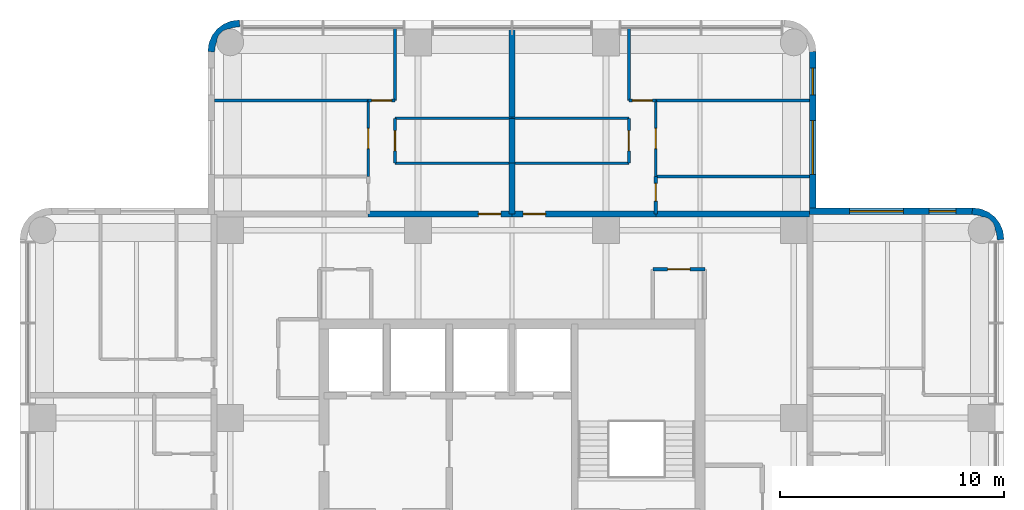
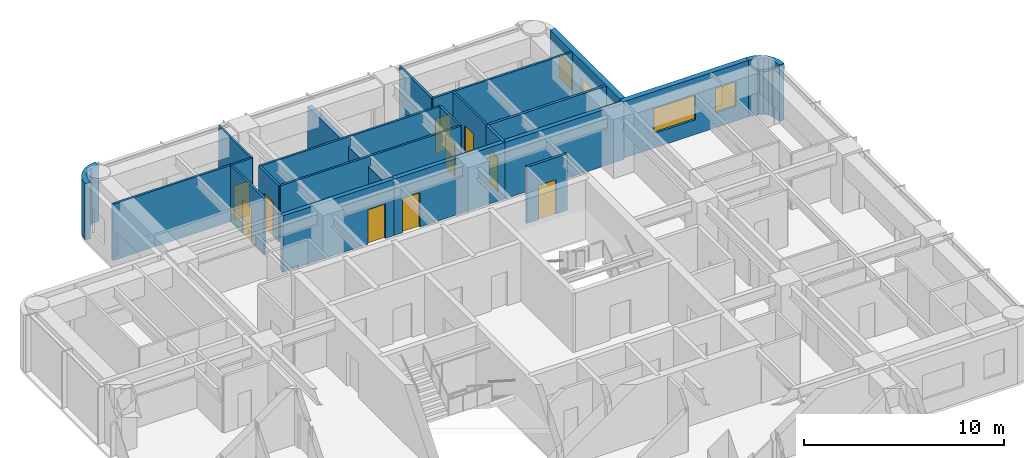
# One storey, part 8 of 10: 27 walls, 10 doors, 4 windows, 14 openings.
"""IFC4 building model written with IfcOpenShell, lengths in metres."""

import ifcopenshell
import ifcopenshell.guid

model = None  # the IFC model being written
_history = None  # IfcOwnerHistory: only IFC2X3 demands one
_inside = {}  # id of a spatial element -> (the spatial element, [elements in it])
_under = {}  # id of a project, library or spatial element -> (it, [spatial elements below it])
_declared = {}  # id of a project -> (the project, [libraries it declares])
_typed = {}  # id of a type object -> (the type object, [elements of that type])
_made_of = {}  # id of a material, layer set ... -> (it, [elements and type objects made of it])


def new_model(schema):
    """Start an empty IFC model of exactly this schema.

    Asked for "IFC4X3", IfcOpenShell would pick the latest addendum, in which some entities
    have other attributes; the version numbers below select the first issue.
    IFC2X3 requires an IfcOwnerHistory on every rooted entity: one is made here for all.
    """
    global model, _history
    if schema == "IFC4X3":
        model = ifcopenshell.file(schema_version=(4, 3, 0, 0))
    else:
        model = ifcopenshell.file(schema=schema)
    _inside.clear()
    _under.clear()
    _declared.clear()
    _typed.clear()
    _made_of.clear()
    _history = None
    if model.schema == "IFC2X3":
        org = make("IfcOrganization", Name="unknown")
        user = make(
            "IfcPersonAndOrganization",
            ThePerson=make("IfcPerson", FamilyName="unknown"),
            TheOrganization=org,
        )
        app = make(
            "IfcApplication",
            ApplicationDeveloper=org,
            Version="unknown",
            ApplicationFullName="unknown",
            ApplicationIdentifier="unknown",
        )
        _history = make(
            "IfcOwnerHistory",
            OwningUser=user,
            OwningApplication=app,
            ChangeAction="ADDED",
            CreationDate=0,
        )
    return model


def make(cls, **values):
    """One entity of the class cls with the attributes given. An attribute that is None is left unset."""
    return model.create_entity(
        cls, **{name: value for name, value in values.items() if value is not None}
    )


def rooted(cls, **values):
    """An entity with a GlobalId (a new one), such as an element, a storey or a relation."""
    return make(cls, GlobalId=ifcopenshell.guid.new(), OwnerHistory=_history, **values)


def si_unit(unit_type, name, prefix=None):
    """IfcSIUnit, for example si_unit("LENGTHUNIT", "METRE", prefix="MILLI")."""
    return make("IfcSIUnit", UnitType=unit_type, Prefix=prefix, Name=name)


def assignment(units):
    """IfcUnitAssignment: the units of a project."""
    return None if units is None else make("IfcUnitAssignment", Units=units)


def point(xyz):
    """IfcCartesianPoint."""
    return None if xyz is None else make("IfcCartesianPoint", Coordinates=xyz)


def direction(xyz):
    """IfcDirection."""
    return None if xyz is None else make("IfcDirection", DirectionRatios=xyz)


def frame(location, z_axis=None, x_axis=None):
    """IfcAxis2Placement3D, a coordinate frame: its origin and axes. An axis left out is left unset."""
    return make(
        "IfcAxis2Placement3D",
        Location=point(location),
        Axis=direction(z_axis),
        RefDirection=direction(x_axis),
    )


def frame_2d(location, x_axis=None):
    """IfcAxis2Placement2D, a coordinate frame in the plane: its origin and x axis."""
    return make(
        "IfcAxis2Placement2D", Location=point(location), RefDirection=direction(x_axis)
    )


def origin():
    """The frame at (0, 0, 0) with its axes left unset."""
    return frame((0.0, 0.0, 0.0))


def place(relative_to, where):
    """IfcLocalPlacement: puts the frame where relative to a parent placement (None: the world)."""
    return make(
        "IfcLocalPlacement", PlacementRelTo=relative_to, RelativePlacement=where
    )


def context(
    kind, dimensions, precision=None, world=None, true_north=None, identifier=None
):
    """IfcGeometricRepresentationContext, for example the 3D "Model" context."""
    return make(
        "IfcGeometricRepresentationContext",
        ContextIdentifier=identifier,
        ContextType=kind,
        CoordinateSpaceDimension=dimensions,
        Precision=precision,
        WorldCoordinateSystem=world,
        TrueNorth=true_north,
    )


def subcontext(parent, identifier, kind, view, scale=None):
    """IfcGeometricRepresentationSubContext, for example "Body" below "Model"."""
    return make(
        "IfcGeometricRepresentationSubContext",
        ContextIdentifier=identifier,
        ContextType=kind,
        ParentContext=parent,
        TargetScale=scale,
        TargetView=view,
    )


def project(units=None, contexts=None):
    """IfcProject with its units and contexts."""
    return rooted(
        "IfcProject",
        Name="project",
        RepresentationContexts=contexts,
        UnitsInContext=assignment(units),
    )


def spatial(cls, under=None, at=None, **own):
    """A site, building, storey or space (cls), placed at a placement, below another one or the project."""
    s = rooted(cls, ObjectPlacement=at, **own)
    if under is not None:
        _under.setdefault(under.id(), (under, []))[1].append(s)
    return s


def polyline(points):
    """IfcPolyline through the points."""
    return make("IfcPolyline", Points=[point(p) for p in points])


def profile(cls, at=None, kind="AREA", **sizes):
    """A parametric profile (cls). Its sizes go by their IFC names, for example OverallWidth=200.0."""
    return make(cls, ProfileType=kind, Position=at, **sizes)


def rectangle(**sizes):
    """IfcRectangleProfileDef."""
    return profile("IfcRectangleProfileDef", **sizes)


def outline(outer, holes=None, kind="AREA"):
    """IfcArbitraryClosedProfileDef: a profile drawn as a closed curve; with holes, ...WithVoids."""
    if holes is None:
        return make("IfcArbitraryClosedProfileDef", ProfileType=kind, OuterCurve=outer)
    return make(
        "IfcArbitraryProfileDefWithVoids",
        ProfileType=kind,
        OuterCurve=outer,
        InnerCurves=holes,
    )


def extrude(swept, where, along, depth):
    """IfcExtrudedAreaSolid: the profile swept, set in the frame where, extruded along a direction by depth."""
    return make(
        "IfcExtrudedAreaSolid",
        SweptArea=swept,
        Position=where,
        ExtrudedDirection=direction(along),
        Depth=depth,
    )


def shape(context_of_items, identifier, shape_type, items):
    """IfcShapeRepresentation: the items that make up one representation, for example the "Body"."""
    return make(
        "IfcShapeRepresentation",
        ContextOfItems=context_of_items,
        RepresentationIdentifier=identifier,
        RepresentationType=shape_type,
        Items=items,
    )


def material(Name=None, Category=None):
    """IfcMaterial."""
    return make("IfcMaterial", Name=Name, Category=Category)


def layer(
    of_material, thickness, ventilated=None, Name=None, Category=None, Priority=None
):
    """IfcMaterialLayer: one layer of a wall or slab, of a material (None: an air gap)."""
    return make(
        "IfcMaterialLayer",
        Material=of_material,
        LayerThickness=thickness,
        IsVentilated=ventilated,
        Name=Name,
        Category=Category,
        Priority=Priority,
    )


def layer_set(layers, Name=None):
    """IfcMaterialLayerSet."""
    return make("IfcMaterialLayerSet", MaterialLayers=layers, LayerSetName=Name)


def made_of(thing, what):
    """Note that an element or type object is made of a material, layer set ...; save() writes the relation."""
    if what is not None:
        _made_of.setdefault(what.id(), (what, []))[1].append(thing)
    return thing


def type_object(cls, material=None, **own):
    """A type object (cls), such as IfcWallType, which elements share."""
    return made_of(rooted(cls, **own), material)


def element(
    cls,
    number,
    at=None,
    inside=None,
    cuts=None,
    type_object=None,
    material=None,
    context=None,
    identifier="Body",
    shape_type=None,
    held_by="IfcProductDefinitionShape",
    body=None,
    shapes=None,
    **own,
):
    """One element of the class cls, such as IfcWall. Its Tag is "e" and its number.

    at: its placement. inside: the storey or other place that contains it. cuts: it is an
    opening in that element (IfcRelVoidsElement). A single representation is given by context,
    identifier, shape_type and body (its items); several are given by shapes. held_by: the class
    of the entity that holds the representations. save() writes the other relations.
    """
    e = rooted(cls, Tag="e%d" % number, ObjectPlacement=at, **own)
    if body is not None:
        shapes = [shape(context, identifier, shape_type, body)]
    if shapes is not None:
        e.Representation = make(held_by, Representations=shapes)
    if inside is not None:
        _inside.setdefault(inside.id(), (inside, []))[1].append(e)
    if cuts is not None:
        rooted(
            "IfcRelVoidsElement", RelatingBuildingElement=cuts, RelatedOpeningElement=e
        )
    if type_object is not None:
        _typed.setdefault(type_object.id(), (type_object, []))[1].append(e)
    return made_of(e, material)


def fill(opening, filler):
    """IfcRelFillsElement: the door or window that sits in an opening."""
    return rooted(
        "IfcRelFillsElement",
        RelatingOpeningElement=opening,
        RelatedBuildingElement=filler,
    )


def aggregate(whole, parts):
    """IfcRelAggregates: a whole, such as a stair, and the parts it consists of."""
    return rooted("IfcRelAggregates", RelatingObject=whole, RelatedObjects=parts)


def save(model, path):
    """Write the relations noted so far, then the file.

    IfcRelAggregates (storeys below a building ...), IfcRelContainedInSpatialStructure (elements
    in a storey), IfcRelDefinesByType, IfcRelAssociatesMaterial and IfcRelDeclares: one each for
    every whole, place, type object, material and project.
    """
    for whole, parts in _under.values():
        aggregate(whole, parts)
    for where, things in _inside.values():
        rooted(
            "IfcRelContainedInSpatialStructure",
            RelatedElements=things,
            RelatingStructure=where,
        )
    for kind, things in _typed.values():
        rooted("IfcRelDefinesByType", RelatedObjects=things, RelatingType=kind)
    for what, things in _made_of.values():
        rooted("IfcRelAssociatesMaterial", RelatedObjects=things, RelatingMaterial=what)
    for by, libraries in _declared.values():
        rooted("IfcRelDeclares", RelatingContext=by, RelatedDefinitions=libraries)
    model.write(path)


model = new_model("IFC4")

# Units and contexts
model_context = context("Model", 3, precision=1e-05, world=origin(), true_north=direction((0.0, 1.0)))
body_context = subcontext(model_context, "Body", "Model", "MODEL_VIEW")
ifc_project = project(units=[si_unit("LENGTHUNIT", "METRE"), si_unit("AREAUNIT", "SQUARE_METRE"), si_unit("VOLUMEUNIT", "CUBIC_METRE"), si_unit("PLANEANGLEUNIT", "RADIAN"), si_unit("MASSUNIT", "GRAM", prefix="KILO")], contexts=[model_context])

# Site, building, storey
site_placement = place(None, origin())
site = spatial("IfcSite", under=ifc_project, at=site_placement, CompositionType="ELEMENT")
building_placement = place(site_placement, origin())
building = spatial("IfcBuilding", under=site, at=building_placement, Name="Torre Alcanfor", CompositionType="ELEMENT")
storey_placement = place(building_placement, frame((0.0, 0.0, 282.89990234375)))
storey = spatial("IfcBuildingStorey", under=building, at=storey_placement, Name="L74", CompositionType="ELEMENT", Elevation=282.89990234375)

# Wall, opening, door
ifc_material_1 = material(Name="Concrete block masonry, hollow blocks NMX-C-404 9 MPa", Category="masonry")
ifc_layer_1 = layer(ifc_material_1, 0.25)
ifc_layer_set_1 = layer_set([ifc_layer_1], Name="Apartment entrance wall 250 EI 60")
wall_type_1 = type_object("IfcWallType", Name="Apartment entrance wall 250 EI 60", PredefinedType="PARTITIONING", material=ifc_layer_set_1)
wall_1_placement = place(storey_placement, frame((22.970947265625, 42.72509765625, 0.0), z_axis=(0.0, 0.0, 1.0), x_axis=(1.0, 0.0, 0.0)))
wall_1 = element("IfcWall", 1, at=wall_1_placement, inside=storey, type_object=wall_type_1, Name="Partition L74-CORR / L74-N1-LIVING", PredefinedType="PARTITIONING", context=body_context, shape_type="SweptSolid", body=[
    extrude(rectangle(XDim=6.428955078125, YDim=0.25, at=frame_2d((3.21435546875, 0.0))), origin(), (0.0, 0.0, 1.0), 3.4501953125),
])
opening_1_placement = place(wall_1_placement, frame((4.928955078125, 0.0, 0.0)))
opening_1 = element("IfcOpeningElement", 2, at=opening_1_placement, cuts=wall_1, Name="Opening D-A1", PredefinedType="OPENING", context=body_context, shape_type="SweptSolid", body=[
    extrude(rectangle(XDim=1.0, YDim=2.10009765625, at=frame_2d((0.5, 1.050048828125))), frame((0.0, 0.135009765625, 0.0), z_axis=(0.0, -1.0, 0.0), x_axis=(1.0, 0.0, 0.0)), (0.0, 0.0, 1.0), 0.27001953125),
])
ifc_material_2 = material(Name="Galvanised steel sheet ASTM A653", Category="steel")
door_type_1 = type_object("IfcDoorType", Name="Apartment entrance door FD60 1000x2100", OperationType="SINGLE_SWING_LEFT", PredefinedType="DOOR", material=ifc_material_2)
door_1_placement = place(opening_1_placement, origin())
door_1 = element("IfcDoor", 3, at=door_1_placement, inside=storey, type_object=door_type_1, Name="Apartment entrance L74-N1", OperationType="SINGLE_SWING_RIGHT", OverallHeight=2.10009765625, OverallWidth=1.0, PredefinedType="DOOR", context=body_context, shape_type="SweptSolid", body=[
    extrude(rectangle(XDim=1.0, YDim=2.10009765625, at=frame_2d((0.5, 1.050048828125))), frame((0.0, 0.02490234375, 0.0), z_axis=(0.0, -1.0, 0.0), x_axis=(1.0, 0.0, 0.0)), (0.0, 0.0, 1.0), 0.050048828125),
])
fill(opening_1, door_1)

wall_2_placement = place(storey_placement, frame((29.39990234375, 42.72509765625, 0.0), z_axis=(0.0, 0.0, 1.0), x_axis=(1.0, 0.0, 0.0)))
wall_2 = element("IfcWall", 4, at=wall_2_placement, inside=storey, type_object=wall_type_1, Name="Partition L74-CORR / L74-N2-LIVING", PredefinedType="PARTITIONING", context=body_context, shape_type="SweptSolid", body=[
    extrude(rectangle(XDim=6.42919921875, YDim=0.25, at=frame_2d((3.214599609375, 0.0))), origin(), (0.0, 0.0, 1.0), 3.4501953125),
])
opening_2_placement = place(wall_2_placement, frame((0.5, 0.0, 0.0)))
opening_2 = element("IfcOpeningElement", 5, at=opening_2_placement, cuts=wall_2, Name="Opening D-A1", PredefinedType="OPENING", context=body_context, shape_type="SweptSolid", body=[
    extrude(rectangle(XDim=1.0, YDim=2.10009765625, at=frame_2d((0.5, 1.050048828125))), frame((0.0, 0.135009765625, 0.0), z_axis=(0.0, -1.0, 0.0), x_axis=(1.0, 0.0, 0.0)), (0.0, 0.0, 1.0), 0.27001953125),
])
door_2_placement = place(opening_2_placement, origin())
door_2 = element("IfcDoor", 6, at=door_2_placement, inside=storey, type_object=door_type_1, Name="Apartment entrance L74-N2", OperationType="SINGLE_SWING_LEFT", OverallHeight=2.10009765625, OverallWidth=1.0, PredefinedType="DOOR", context=body_context, shape_type="SweptSolid", body=[
    extrude(rectangle(XDim=1.0, YDim=2.10009765625, at=frame_2d((0.5, 1.050048828125))), frame((0.0, 0.02490234375, 0.0), z_axis=(0.0, -1.0, 0.0), x_axis=(1.0, 0.0, 0.0)), (0.0, 0.0, 1.0), 0.050048828125),
])
fill(opening_2, door_2)

# Walls
wall_3_placement = place(storey_placement, frame((35.8291015625, 42.72509765625, 0.0), z_axis=(0.0, 0.0, 1.0), x_axis=(1.0, 0.0, 0.0)))
element("IfcWall", 7, at=wall_3_placement, inside=storey, type_object=wall_type_1, Name="Partition L74-CORR / L74-N2-BATH", PredefinedType="PARTITIONING", context=body_context, shape_type="SweptSolid", body=[
    extrude(rectangle(XDim=6.870849609375, YDim=0.25, at=frame_2d((3.435546875, 0.0))), origin(), (0.0, 0.0, 1.0), 3.4501953125),
])
ifc_material_3 = material(Name="Gypsum board on steel studs", Category="steel")
ifc_layer_2 = layer(ifc_material_3, 0.1201171875)
ifc_layer_set_2 = layer_set([ifc_layer_2], Name="Apartment partition 120")
wall_type_2 = type_object("IfcWallType", Name="Apartment partition 120", PredefinedType="PARTITIONING", material=ifc_layer_set_2)
wall_4_placement = place(storey_placement, frame((29.39990234375, 47.0, 0.0), z_axis=(0.0, 0.0, 1.0), x_axis=(-1.0, 0.0, 0.0)))
element("IfcWall", 8, at=wall_4_placement, inside=storey, type_object=wall_type_2, Name="Partition L74-N1-KITCHEN / L74-N1-LIVING", PredefinedType="PARTITIONING", context=body_context, shape_type="SweptSolid", body=[
    extrude(rectangle(XDim=5.22900390625, YDim=0.1201171875, at=frame_2d((2.614501953125, 0.0))), origin(), (0.0, 0.0, 1.0), 3.4501953125),
])

# Wall, opening, door
wall_5_placement = place(storey_placement, frame((24.1708984375, 47.0, 0.0), z_axis=(0.0, 0.0, 1.0), x_axis=(0.0, -1.0, 0.0)))
wall_5 = element("IfcWall", 9, at=wall_5_placement, inside=storey, type_object=wall_type_2, Name="Partition L74-N1-KITCHEN / L74-N1-LIVING", PredefinedType="PARTITIONING", context=body_context, shape_type="SweptSolid", body=[
    extrude(rectangle(XDim=2.0, YDim=0.1201171875, at=frame_2d((1.0, 0.0))), origin(), (0.0, 0.0, 1.0), 3.4501953125),
])
opening_3_placement = place(wall_5_placement, frame((0.550048828125, 0.0, 0.0)))
opening_3 = element("IfcOpeningElement", 10, at=opening_3_placement, cuts=wall_5, Name="Opening D-R1", PredefinedType="OPENING", context=body_context, shape_type="SweptSolid", body=[
    extrude(rectangle(XDim=0.89990234375, YDim=2.10009765625, at=frame_2d((0.449951171875, 1.050048828125))), frame((0.0, 0.070068359375, 0.0), z_axis=(0.0, -1.0, 0.0), x_axis=(1.0, 0.0, 0.0)), (0.0, 0.0, 1.0), 0.14013671875),
])
ifc_material_4 = material(Name="Timber", Category="wood")
door_type_2 = type_object("IfcDoorType", Name="Internal door 900x2100", OperationType="SINGLE_SWING_LEFT", PredefinedType="DOOR", material=ifc_material_4)
door_3_placement = place(opening_3_placement, origin())
door_3 = element("IfcDoor", 11, at=door_3_placement, inside=storey, type_object=door_type_2, Name="Door L74-N1 kitchen", OperationType="SINGLE_SWING_LEFT", OverallHeight=2.10009765625, OverallWidth=0.89990234375, PredefinedType="DOOR", context=body_context, shape_type="SweptSolid", body=[
    extrude(rectangle(XDim=0.89990234375, YDim=2.10009765625, at=frame_2d((0.449951171875, 1.050048828125))), frame((0.0, 0.02490234375, 0.0), z_axis=(0.0, -1.0, 0.0), x_axis=(1.0, 0.0, 0.0)), (0.0, 0.0, 1.0), 0.050048828125),
])
fill(opening_3, door_3)

# Wall
wall_6_placement = place(storey_placement, frame((24.1708984375, 45.0, 0.0), z_axis=(0.0, 0.0, 1.0), x_axis=(1.0, 0.0, 0.0)))
element("IfcWall", 12, at=wall_6_placement, inside=storey, type_object=wall_type_2, Name="Partition L74-N1-KITCHEN / L74-N1-LIVING", PredefinedType="PARTITIONING", context=body_context, shape_type="SweptSolid", body=[
    extrude(rectangle(XDim=5.22900390625, YDim=0.1201171875, at=frame_2d((2.614501953125, 0.0))), origin(), (0.0, 0.0, 1.0), 3.4501953125),
])

# Wall, opening, door
wall_7_placement = place(storey_placement, frame((22.970947265625, 44.39990234375, 0.0), z_axis=(0.0, 0.0, 1.0), x_axis=(0.0, 1.0, 0.0)))
wall_7 = element("IfcWall", 13, at=wall_7_placement, inside=storey, type_object=wall_type_2, Name="Partition L74-N1-LIVING / L74-N1-STUDY", PredefinedType="PARTITIONING", context=body_context, shape_type="SweptSolid", body=[
    extrude(rectangle(XDim=3.400146484375, YDim=0.1201171875, at=frame_2d((1.7001953125, 0.0))), origin(), (0.0, 0.0, 1.0), 3.4501953125),
])
opening_4_placement = place(wall_7_placement, frame((1.25, 0.0, 0.0)))
opening_4 = element("IfcOpeningElement", 14, at=opening_4_placement, cuts=wall_7, Name="Opening D-R1", PredefinedType="OPENING", context=body_context, shape_type="SweptSolid", body=[
    extrude(rectangle(XDim=0.89990234375, YDim=2.10009765625, at=frame_2d((0.449951171875, 1.050048828125))), frame((0.0, 0.070068359375, 0.0), z_axis=(0.0, -1.0, 0.0), x_axis=(1.0, 0.0, 0.0)), (0.0, 0.0, 1.0), 0.14013671875),
])
door_4_placement = place(opening_4_placement, origin())
door_4 = element("IfcDoor", 15, at=door_4_placement, inside=storey, type_object=door_type_2, Name="Door L74-N1 study", OperationType="SINGLE_SWING_LEFT", OverallHeight=2.10009765625, OverallWidth=0.89990234375, PredefinedType="DOOR", context=body_context, shape_type="SweptSolid", body=[
    extrude(rectangle(XDim=0.89990234375, YDim=2.10009765625, at=frame_2d((0.449951171875, 1.050048828125))), frame((0.0, 0.02490234375, 0.0), z_axis=(0.0, -1.0, 0.0), x_axis=(1.0, 0.0, 0.0)), (0.0, 0.0, 1.0), 0.050048828125),
])
fill(opening_4, door_4)

wall_8_placement = place(storey_placement, frame((22.970947265625, 47.800048828125, 0.0), z_axis=(0.0, 0.0, 1.0), x_axis=(1.0, 0.0, 0.0)))
wall_8 = element("IfcWall", 16, at=wall_8_placement, inside=storey, type_object=wall_type_2, Name="Partition L74-N1-LIVING / L74-N1-MASTER", PredefinedType="PARTITIONING", context=body_context, shape_type="SweptSolid", body=[
    extrude(rectangle(XDim=1.199951171875, YDim=0.1201171875, at=frame_2d((0.60009765625, 0.0))), origin(), (0.0, 0.0, 1.0), 3.4501953125),
])
opening_5_placement = place(wall_8_placement, frame((0.14892578125, 0.0, 0.0)))
opening_5 = element("IfcOpeningElement", 17, at=opening_5_placement, cuts=wall_8, Name="Opening D-R1", PredefinedType="OPENING", context=body_context, shape_type="SweptSolid", body=[
    extrude(rectangle(XDim=0.89990234375, YDim=2.10009765625, at=frame_2d((0.449951171875, 1.050048828125))), frame((0.0, 0.070068359375, 0.0), z_axis=(0.0, -1.0, 0.0), x_axis=(1.0, 0.0, 0.0)), (0.0, 0.0, 1.0), 0.14013671875),
])
door_5_placement = place(opening_5_placement, origin())
door_5 = element("IfcDoor", 18, at=door_5_placement, inside=storey, type_object=door_type_2, Name="Door L74-N1 master", OperationType="SINGLE_SWING_RIGHT", OverallHeight=2.10009765625, OverallWidth=0.89990234375, PredefinedType="DOOR", context=body_context, shape_type="SweptSolid", body=[
    extrude(rectangle(XDim=0.89990234375, YDim=2.10009765625, at=frame_2d((0.449951171875, 1.050048828125))), frame((0.0, 0.02490234375, 0.0), z_axis=(0.0, -1.0, 0.0), x_axis=(1.0, 0.0, 0.0)), (0.0, 0.0, 1.0), 0.050048828125),
])
fill(opening_5, door_5)

# Walls
wall_9_placement = place(storey_placement, frame((24.1708984375, 47.800048828125, 0.0), z_axis=(0.0, 0.0, 1.0), x_axis=(0.0, 1.0, 0.0)))
element("IfcWall", 19, at=wall_9_placement, inside=storey, type_object=wall_type_2, Name="Partition L74-N1-LIVING / L74-N1-MASTER", PredefinedType="PARTITIONING", context=body_context, shape_type="SweptSolid", body=[
    extrude(rectangle(XDim=3.25, YDim=0.1201171875, at=frame_2d((1.625, 0.0))), origin(), (0.0, 0.0, 1.0), 3.4501953125),
])
wall_10_placement = place(storey_placement, frame((22.970947265625, 47.800048828125, 0.0), z_axis=(0.0, 0.0, 1.0), x_axis=(-1.0, 0.0, 0.0)))
element("IfcWall", 20, at=wall_10_placement, inside=storey, type_object=wall_type_2, Name="Partition L74-N1-STUDY / L74-N1-MASTER", PredefinedType="PARTITIONING", context=body_context, shape_type="SweptSolid", body=[
    extrude(rectangle(XDim=6.870849609375, YDim=0.1201171875, at=frame_2d((3.435546875, 0.0))), origin(), (0.0, 0.0, 1.0), 3.4501953125),
])
wall_11_placement = place(storey_placement, frame((29.39990234375, 47.0, 0.0), z_axis=(0.0, 0.0, 1.0), x_axis=(1.0, 0.0, 0.0)))
element("IfcWall", 21, at=wall_11_placement, inside=storey, type_object=wall_type_2, Name="Partition L74-N2-KITCHEN / L74-N2-LIVING", PredefinedType="PARTITIONING", context=body_context, shape_type="SweptSolid", body=[
    extrude(rectangle(XDim=5.22900390625, YDim=0.1201171875, at=frame_2d((2.614501953125, 0.0))), origin(), (0.0, 0.0, 1.0), 3.4501953125),
])

# Wall, opening, door
wall_12_placement = place(storey_placement, frame((34.62890625, 47.0, 0.0), z_axis=(0.0, 0.0, 1.0), x_axis=(0.0, -1.0, 0.0)))
wall_12 = element("IfcWall", 22, at=wall_12_placement, inside=storey, type_object=wall_type_2, Name="Partition L74-N2-KITCHEN / L74-N2-LIVING", PredefinedType="PARTITIONING", context=body_context, shape_type="SweptSolid", body=[
    extrude(rectangle(XDim=2.0, YDim=0.1201171875, at=frame_2d((1.0, 0.0))), origin(), (0.0, 0.0, 1.0), 3.4501953125),
])
opening_6_placement = place(wall_12_placement, frame((0.550048828125, 0.0, 0.0)))
opening_6 = element("IfcOpeningElement", 23, at=opening_6_placement, cuts=wall_12, Name="Opening D-R1", PredefinedType="OPENING", context=body_context, shape_type="SweptSolid", body=[
    extrude(rectangle(XDim=0.89990234375, YDim=2.10009765625, at=frame_2d((0.449951171875, 1.050048828125))), frame((0.0, 0.070068359375, 0.0), z_axis=(0.0, -1.0, 0.0), x_axis=(1.0, 0.0, 0.0)), (0.0, 0.0, 1.0), 0.14013671875),
])
door_6_placement = place(opening_6_placement, frame((0.89990234375, 0.0, 0.0), z_axis=(0.0, 0.0, 1.0), x_axis=(-1.0, 0.0, 0.0)))
door_6 = element("IfcDoor", 24, at=door_6_placement, inside=storey, type_object=door_type_2, Name="Door L74-N2 kitchen", OperationType="SINGLE_SWING_RIGHT", OverallHeight=2.10009765625, OverallWidth=0.89990234375, PredefinedType="DOOR", context=body_context, shape_type="SweptSolid", body=[
    extrude(rectangle(XDim=0.89990234375, YDim=2.10009765625, at=frame_2d((0.449951171875, 1.050048828125))), frame((0.0, 0.025146484375, 0.0), z_axis=(0.0, -1.0, 0.0), x_axis=(1.0, 0.0, 0.0)), (0.0, 0.0, 1.0), 0.050048828125),
])
fill(opening_6, door_6)

# Wall
wall_13_placement = place(storey_placement, frame((34.62890625, 45.0, 0.0), z_axis=(0.0, 0.0, 1.0), x_axis=(-1.0, 0.0, 0.0)))
element("IfcWall", 25, at=wall_13_placement, inside=storey, type_object=wall_type_2, Name="Partition L74-N2-KITCHEN / L74-N2-LIVING", PredefinedType="PARTITIONING", context=body_context, shape_type="SweptSolid", body=[
    extrude(rectangle(XDim=5.22900390625, YDim=0.1201171875, at=frame_2d((2.614501953125, 0.0))), origin(), (0.0, 0.0, 1.0), 3.4501953125),
])

# Wall, opening, door
wall_14_placement = place(storey_placement, frame((35.8291015625, 47.800048828125, 0.0), z_axis=(0.0, 0.0, 1.0), x_axis=(0.0, -1.0, 0.0)))
wall_14 = element("IfcWall", 26, at=wall_14_placement, inside=storey, type_object=wall_type_2, Name="Partition L74-N2-LIVING / L74-N2-STUDY", PredefinedType="PARTITIONING", context=body_context, shape_type="SweptSolid", body=[
    extrude(rectangle(XDim=3.400146484375, YDim=0.1201171875, at=frame_2d((1.7001953125, 0.0))), origin(), (0.0, 0.0, 1.0), 3.4501953125),
])
opening_7_placement = place(wall_14_placement, frame((1.25, 0.0, 0.0)))
opening_7 = element("IfcOpeningElement", 27, at=opening_7_placement, cuts=wall_14, Name="Opening D-R1", PredefinedType="OPENING", context=body_context, shape_type="SweptSolid", body=[
    extrude(rectangle(XDim=0.89990234375, YDim=2.10009765625, at=frame_2d((0.449951171875, 1.050048828125))), frame((0.0, 0.070068359375, 0.0), z_axis=(0.0, -1.0, 0.0), x_axis=(1.0, 0.0, 0.0)), (0.0, 0.0, 1.0), 0.14013671875),
])
door_7_placement = place(opening_7_placement, origin())
door_7 = element("IfcDoor", 28, at=door_7_placement, inside=storey, type_object=door_type_2, Name="Door L74-N2 study", OperationType="SINGLE_SWING_LEFT", OverallHeight=2.10009765625, OverallWidth=0.89990234375, PredefinedType="DOOR", context=body_context, shape_type="SweptSolid", body=[
    extrude(rectangle(XDim=0.89990234375, YDim=2.10009765625, at=frame_2d((0.449951171875, 1.050048828125))), frame((0.0, 0.02490234375, 0.0), z_axis=(0.0, -1.0, 0.0), x_axis=(1.0, 0.0, 0.0)), (0.0, 0.0, 1.0), 0.050048828125),
])
fill(opening_7, door_7)

# Wall
wall_15_placement = place(storey_placement, frame((34.62890625, 51.050048828125, 0.0), z_axis=(0.0, 0.0, 1.0), x_axis=(0.0, -1.0, 0.0)))
element("IfcWall", 29, at=wall_15_placement, inside=storey, type_object=wall_type_2, Name="Partition L74-N2-LIVING / L74-N2-MASTER", PredefinedType="PARTITIONING", context=body_context, shape_type="SweptSolid", body=[
    extrude(rectangle(XDim=3.25, YDim=0.1201171875, at=frame_2d((1.625, 0.0))), origin(), (0.0, 0.0, 1.0), 3.4501953125),
])

# Wall, opening, door
wall_16_placement = place(storey_placement, frame((34.62890625, 47.800048828125, 0.0), z_axis=(0.0, 0.0, 1.0), x_axis=(1.0, 0.0, 0.0)))
wall_16 = element("IfcWall", 30, at=wall_16_placement, inside=storey, type_object=wall_type_2, Name="Partition L74-N2-LIVING / L74-N2-MASTER", PredefinedType="PARTITIONING", context=body_context, shape_type="SweptSolid", body=[
    extrude(rectangle(XDim=1.2001953125, YDim=0.1201171875, at=frame_2d((0.60009765625, 0.0))), origin(), (0.0, 0.0, 1.0), 3.4501953125),
])
opening_8_placement = place(wall_16_placement, frame((0.15087890625, 0.0, 0.0)))
opening_8 = element("IfcOpeningElement", 31, at=opening_8_placement, cuts=wall_16, Name="Opening D-R1", PredefinedType="OPENING", context=body_context, shape_type="SweptSolid", body=[
    extrude(rectangle(XDim=0.89990234375, YDim=2.10009765625, at=frame_2d((0.449951171875, 1.050048828125))), frame((0.0, 0.070068359375, 0.0), z_axis=(0.0, -1.0, 0.0), x_axis=(1.0, 0.0, 0.0)), (0.0, 0.0, 1.0), 0.14013671875),
])
door_8_placement = place(opening_8_placement, origin())
door_8 = element("IfcDoor", 32, at=door_8_placement, inside=storey, type_object=door_type_2, Name="Door L74-N2 master", OperationType="SINGLE_SWING_LEFT", OverallHeight=2.10009765625, OverallWidth=0.89990234375, PredefinedType="DOOR", context=body_context, shape_type="SweptSolid", body=[
    extrude(rectangle(XDim=0.89990234375, YDim=2.10009765625, at=frame_2d((0.449951171875, 1.050048828125))), frame((0.0, 0.02490234375, 0.0), z_axis=(0.0, -1.0, 0.0), x_axis=(1.0, 0.0, 0.0)), (0.0, 0.0, 1.0), 0.050048828125),
])
fill(opening_8, door_8)

# Wall
wall_17_placement = place(storey_placement, frame((35.8291015625, 47.800048828125, 0.0), z_axis=(0.0, 0.0, 1.0), x_axis=(1.0, 0.0, 0.0)))
element("IfcWall", 33, at=wall_17_placement, inside=storey, type_object=wall_type_2, Name="Partition L74-N2-STUDY / L74-N2-MASTER", PredefinedType="PARTITIONING", context=body_context, shape_type="SweptSolid", body=[
    extrude(rectangle(XDim=6.870849609375, YDim=0.1201171875, at=frame_2d((3.435546875, 0.0))), origin(), (0.0, 0.0, 1.0), 3.4501953125),
])

# Wall, openings, windows
ifc_material_5 = material(Name="Limestone cladding", Category="masonry")
ifc_layer_3 = layer(ifc_material_5, 0.0400390625, Name="Facing")
ifc_material_6 = material(Name="Ventilated air cavity")
ifc_layer_4 = layer(ifc_material_6, 0.02001953125, ventilated=True, Name="Ventilated joint")
ifc_material_7 = material(Name="Mineral wool insulation", Category="insulation")
ifc_layer_5 = layer(ifc_material_7, 0.10009765625, Name="Insulation")
ifc_material_8 = material(Name="Concrete f'c 35 MPa", Category="concrete")
ifc_layer_6 = layer(ifc_material_8, 0.139892578125, Name="Backing")
ifc_layer_set_3 = layer_set([ifc_layer_3, ifc_layer_4, ifc_layer_5, ifc_layer_6], Name="External wall stone-clad 300")
wall_type_3 = type_object("IfcWallType", Name="External wall stone-clad 300", PredefinedType="SOLIDWALL", material=ifc_layer_set_3)
wall_18_placement = place(storey_placement, frame((50.0, 42.85009765625, 0.0), z_axis=(0.0, 0.0, 1.0), x_axis=(-1.0, 0.0, 0.0)))
wall_18 = element("IfcWall", 34, at=wall_18_placement, inside=storey, type_object=wall_type_3, Name="External wall L74 9", PredefinedType="SOLIDWALL", context=body_context, shape_type="SweptSolid", body=[
    extrude(rectangle(XDim=7.300048828125, YDim=0.300048828125, at=frame_2d((3.64990234375, 0.0))), origin(), (0.0, 0.0, 1.0), 3.4501953125),
])
opening_9_placement = place(wall_18_placement, frame((3.10009765625, 0.0, 0.89990234375)))
opening_9 = element("IfcOpeningElement", 35, at=opening_9_placement, cuts=wall_18, Name="Opening W1", PredefinedType="OPENING", context=body_context, shape_type="SweptSolid", body=[
    extrude(rectangle(XDim=2.39990234375, YDim=1.5, at=frame_2d((1.199951171875, 0.75))), frame((0.0, 0.159912109375, 0.0), z_axis=(0.0, -1.0, 0.0), x_axis=(1.0, 0.0, 0.0)), (0.0, 0.0, 1.0), 0.320068359375),
])
opening_10_placement = place(wall_18_placement, frame((0.75, 0.0, 0.89990234375)))
opening_10 = element("IfcOpeningElement", 36, at=opening_10_placement, cuts=wall_18, Name="Opening W4", PredefinedType="OPENING", context=body_context, shape_type="SweptSolid", body=[
    extrude(rectangle(XDim=1.199951171875, YDim=1.5, at=frame_2d((0.60009765625, 0.75))), frame((0.0, 0.159912109375, 0.0), z_axis=(0.0, -1.0, 0.0), x_axis=(1.0, 0.0, 0.0)), (0.0, 0.0, 1.0), 0.320068359375),
])
ifc_material_9 = material(Name="Aluminium frame with clear double glazing", Category="aluminium")
window_type_1 = type_object("IfcWindowType", Name="Window bedroom 1200x1500", PartitioningType="SINGLE_PANEL", PredefinedType="WINDOW", material=ifc_material_9)
window_1_placement = place(opening_10_placement, origin())
window_1 = element("IfcWindow", 37, at=window_1_placement, inside=storey, type_object=window_type_1, Name="Window W4 L74-E1", OverallHeight=1.5, OverallWidth=1.199951171875, PartitioningType="SINGLE_PANEL", PredefinedType="WINDOW", context=body_context, shape_type="SweptSolid", body=[
    extrude(rectangle(XDim=1.199951171875, YDim=1.5, at=frame_2d((0.60009765625, 0.75))), frame((0.0, 0.030029296875, 0.0), z_axis=(0.0, -1.0, 0.0), x_axis=(1.0, 0.0, 0.0)), (0.0, 0.0, 1.0), 0.06005859375),
])
fill(opening_10, window_1)
ifc_material_10 = material(Name="Aluminium frame with clear double glazing", Category="aluminium")
window_type_2 = type_object("IfcWindowType", Name="Window bedroom 2400x1500", PartitioningType="SINGLE_PANEL", PredefinedType="WINDOW", material=ifc_material_10)
window_2_placement = place(opening_9_placement, origin())
window_2 = element("IfcWindow", 38, at=window_2_placement, inside=storey, type_object=window_type_2, Name="Window W1 L74-E1", OverallHeight=1.5, OverallWidth=2.39990234375, PartitioningType="SINGLE_PANEL", PredefinedType="WINDOW", context=body_context, shape_type="SweptSolid", body=[
    extrude(rectangle(XDim=2.39990234375, YDim=1.5, at=frame_2d((1.199951171875, 0.75))), frame((0.0, 0.030029296875, 0.0), z_axis=(0.0, -1.0, 0.0), x_axis=(1.0, 0.0, 0.0)), (0.0, 0.0, 1.0), 0.06005859375),
])
fill(opening_9, window_2)

wall_19_placement = place(storey_placement, frame((42.85009765625, 43.0, 0.0), z_axis=(0.0, 0.0, 1.0), x_axis=(0.0, 1.0, 0.0)))
wall_19 = element("IfcWall", 39, at=wall_19_placement, inside=storey, type_object=wall_type_3, Name="External wall L74 10", PredefinedType="SOLIDWALL", context=body_context, shape_type="SweptSolid", body=[
    extrude(rectangle(XDim=7.0, YDim=0.300048828125, at=frame_2d((3.5, 0.0))), origin(), (0.0, 0.0, 1.0), 3.4501953125),
])
opening_11_placement = place(wall_19_placement, frame((1.5, 0.0, 0.89990234375)))
opening_11 = element("IfcOpeningElement", 40, at=opening_11_placement, cuts=wall_19, Name="Opening W1", PredefinedType="OPENING", context=body_context, shape_type="SweptSolid", body=[
    extrude(rectangle(XDim=2.39990234375, YDim=1.5, at=frame_2d((1.199951171875, 0.75))), frame((0.0, 0.159912109375, 0.0), z_axis=(0.0, -1.0, 0.0), x_axis=(1.0, 0.0, 0.0)), (0.0, 0.0, 1.0), 0.320068359375),
])
opening_12_placement = place(wall_19_placement, frame((5.050048828125, 0.0, 0.89990234375)))
opening_12 = element("IfcOpeningElement", 41, at=opening_12_placement, cuts=wall_19, Name="Opening W4", PredefinedType="OPENING", context=body_context, shape_type="SweptSolid", body=[
    extrude(rectangle(XDim=1.199951171875, YDim=1.5, at=frame_2d((0.60009765625, 0.75))), frame((0.0, 0.159912109375, 0.0), z_axis=(0.0, -1.0, 0.0), x_axis=(1.0, 0.0, 0.0)), (0.0, 0.0, 1.0), 0.320068359375),
])
window_3_placement = place(opening_12_placement, origin())
window_3 = element("IfcWindow", 42, at=window_3_placement, inside=storey, type_object=window_type_1, Name="Window W4 L74-N2", OverallHeight=1.5, OverallWidth=1.199951171875, PartitioningType="SINGLE_PANEL", PredefinedType="WINDOW", context=body_context, shape_type="SweptSolid", body=[
    extrude(rectangle(XDim=1.199951171875, YDim=1.5, at=frame_2d((0.60009765625, 0.75))), frame((0.0, 0.030029296875, 0.0), z_axis=(0.0, -1.0, 0.0), x_axis=(1.0, 0.0, 0.0)), (0.0, 0.0, 1.0), 0.06005859375),
])
fill(opening_12, window_3)
window_4_placement = place(opening_11_placement, origin())
window_4 = element("IfcWindow", 43, at=window_4_placement, inside=storey, type_object=window_type_2, Name="Window W1 L74-N2", OverallHeight=1.5, OverallWidth=2.39990234375, PartitioningType="SINGLE_PANEL", PredefinedType="WINDOW", context=body_context, shape_type="SweptSolid", body=[
    extrude(rectangle(XDim=2.39990234375, YDim=1.5, at=frame_2d((1.199951171875, 0.75))), frame((0.0, 0.030029296875, 0.0), z_axis=(0.0, -1.0, 0.0), x_axis=(1.0, 0.0, 0.0)), (0.0, 0.0, 1.0), 0.06005859375),
])
fill(opening_11, window_4)

# Walls
ifc_material_11 = material(Name="Concrete block masonry, hollow blocks NMX-C-404 9 MPa", Category="masonry")
ifc_layer_7 = layer(ifc_material_11, 0.25)
ifc_layer_set_4 = layer_set([ifc_layer_7], Name="Party wall 250 EI 60")
wall_type_4 = type_object("IfcWallType", Name="Party wall 250 EI 60", PredefinedType="PARTITIONING", material=ifc_layer_set_4)
wall_20_placement = place(storey_placement, frame((29.39990234375, 45.0, 0.0), z_axis=(0.0, 0.0, 1.0), x_axis=(0.0, 1.0, 0.0)))
element("IfcWall", 44, at=wall_20_placement, inside=storey, type_object=wall_type_4, Name="Partition L74-N1-KITCHEN / L74-N2-KITCHEN", PredefinedType="PARTITIONING", context=body_context, shape_type="SweptSolid", body=[
    extrude(rectangle(XDim=2.0, YDim=0.25, at=frame_2d((1.0, 0.0))), origin(), (0.0, 0.0, 1.0), 2.84814453125),
])
wall_21_placement = place(storey_placement, frame((29.39990234375, 45.0, 0.0), z_axis=(0.0, 0.0, 1.0), x_axis=(0.0, -1.0, 0.0)))
element("IfcWall", 45, at=wall_21_placement, inside=storey, type_object=wall_type_4, Name="Partition L74-N1-LIVING / L74-N2-LIVING", PredefinedType="PARTITIONING", context=body_context, shape_type="SweptSolid", body=[
    extrude(rectangle(XDim=2.27490234375, YDim=0.25, at=frame_2d((1.137451171875, 0.0))), origin(), (0.0, 0.0, 1.0), 2.84814453125),
])
wall_22_placement = place(storey_placement, frame((29.39990234375, 51.050048828125, 0.0), z_axis=(0.0, 0.0, 1.0), x_axis=(0.0, -1.0, 0.0)))
element("IfcWall", 46, at=wall_22_placement, inside=storey, type_object=wall_type_4, Name="Partition L74-N1-LIVING / L74-N2-LIVING", PredefinedType="PARTITIONING", context=body_context, shape_type="SweptSolid", body=[
    extrude(rectangle(XDim=4.050048828125, YDim=0.25, at=frame_2d((2.02490234375, 0.0))), origin(), (0.0, 0.0, 1.0), 2.84814453125),
])

# Wall, opening, door
ifc_material_12 = material(Name="Concrete block masonry, hollow blocks NMX-C-404 9 MPa", Category="masonry")
ifc_layer_8 = layer(ifc_material_12, 0.14990234375)
ifc_layer_set_5 = layer_set([ifc_layer_8], Name="Residents' room partition 150")
wall_type_5 = type_object("IfcWallType", Name="Residents' room partition 150", PredefinedType="PARTITIONING", material=ifc_layer_set_5)
wall_23_placement = place(storey_placement, frame((38.02490234375, 40.25, 0.0), z_axis=(0.0, 0.0, 1.0), x_axis=(-1.0, 0.0, 0.0)))
wall_23 = element("IfcWall", 47, at=wall_23_placement, inside=storey, type_object=wall_type_5, Name="Partition L74-CORR / L74-G02", PredefinedType="PARTITIONING", context=body_context, shape_type="SweptSolid", body=[
    extrude(rectangle(XDim=2.324951171875, YDim=0.14990234375, at=frame_2d((1.16259765625, 0.0))), origin(), (0.0, 0.0, 1.0), 3.4501953125),
])
opening_13_placement = place(wall_23_placement, frame((0.66259765625, 0.0, 0.0)))
opening_13 = element("IfcOpeningElement", 48, at=opening_13_placement, cuts=wall_23, Name="Opening D-M1", PredefinedType="OPENING", context=body_context, shape_type="SweptSolid", body=[
    extrude(rectangle(XDim=1.0, YDim=2.10009765625, at=frame_2d((0.5, 1.050048828125))), frame((0.0, 0.0849609375, 0.0), z_axis=(0.0, -1.0, 0.0), x_axis=(1.0, 0.0, 0.0)), (0.0, 0.0, 1.0), 0.169921875),
])
ifc_material_13 = material(Name="Timber", Category="wood")
door_type_3 = type_object("IfcDoorType", Name="Residents' room door 1000x2100", OperationType="SINGLE_SWING_LEFT", PredefinedType="DOOR", material=ifc_material_13)
door_9_placement = place(opening_13_placement, origin())
door_9 = element("IfcDoor", 49, at=door_9_placement, inside=storey, type_object=door_type_3, Name="Door L74-G02 parcel room", OperationType="SINGLE_SWING_LEFT", OverallHeight=2.10009765625, OverallWidth=1.0, PredefinedType="DOOR", context=body_context, shape_type="SweptSolid", body=[
    extrude(rectangle(XDim=1.0, YDim=2.10009765625, at=frame_2d((0.5, 1.050048828125))), frame((0.0, 0.02490234375, 0.0), z_axis=(0.0, -1.0, 0.0), x_axis=(1.0, 0.0, 0.0)), (0.0, 0.0, 1.0), 0.050048828125),
])
fill(opening_13, door_9)

# Walls
ifc_layer_9 = layer(ifc_material_5, 0.0400390625, Name="Facing")
ifc_layer_10 = layer(ifc_material_6, 0.02001953125, ventilated=True, Name="Ventilated joint")
ifc_layer_11 = layer(ifc_material_7, 0.10009765625, Name="Insulation")
ifc_layer_12 = layer(ifc_material_8, 0.139892578125, Name="Backing")
ifc_layer_set_6 = layer_set([ifc_layer_9, ifc_layer_10, ifc_layer_11, ifc_layer_12], Name="Rounded corner pier stone-clad 300")
wall_type_6 = type_object("IfcWallType", Name="Rounded corner pier stone-clad 300", PredefinedType="SOLIDWALL", material=ifc_layer_set_6)
wall_24_placement = place(storey_placement, frame((50.975898117, 41.638418254, 0.0), z_axis=(0.0, 0.0, 1.0), x_axis=(0.707106781187, 0.707106781187, 0.0)))
element("IfcWall", 50, at=wall_24_placement, inside=storey, type_object=wall_type_6, Name="Corner pier L74 18", PredefinedType="SOLIDWALL", context=body_context, shape_type="SweptSolid", body=[
    extrude(outline(polyline([(0.23318643990489343, 0.11416555226925765), (0.04674226908422171, -0.12890240376361806), (0.032758956272671336, -0.14288571657516844), (0.27271950945853585, -0.32691301851483145), (0.4952440800028376, -0.03706138628528721), (0.6350772081183413, 0.3006097230899294), (0.682724051772513, 0.6627947882582343), (0.6350772081183413, 1.0253251204095404), (0.4952440800028376, 1.3629962297847569), (0.27271950945853585, 1.6528478620143012), (0.032586322781170685, 1.4686479265831376), (0.04656963559272109, 1.454664613771587), (0.2330138064133928, 1.2115966577387114), (0.2922270939981062, 1.0691740272506984), (0.35800045425984317, 1.0034006669889615), (0.44949620475517277, 0.7824297978681654), (0.4493235712636722, 0.5433324121398039), (0.3578278207683425, 0.32236154301900777), (0.29222709399810615, 0.2567608162487714), (0.23318643990489343, 0.11416555226925765)])), origin(), (0.0, 0.0, 1.0), 3.4501953125),
])
wall_25_placement = place(storey_placement, frame((17.161581746, 50.975898117, 0.0), z_axis=(0.0, 0.0, 1.0), x_axis=(-0.707106781187, 0.707106781187, 0.0)))
element("IfcWall", 51, at=wall_25_placement, inside=storey, type_object=wall_type_6, Name="Corner pier L74 20", PredefinedType="SOLIDWALL", context=body_context, shape_type="SweptSolid", body=[
    extrude(outline(polyline([(0.04670774238592209, -0.12893693046191768), (0.03272442957437171, -0.14292024327346806), (0.2726849827602362, -0.3269475452131311), (0.495209553304538, -0.03709591298358683), (0.6350426814200417, 0.3005751963916298), (0.6826895250742134, 0.6627602615599347), (0.6350426814200417, 1.0252905937112406), (0.495209553304538, 1.3629617030864574), (0.2726849827602362, 1.6528133353160017), (0.032551796082871065, 1.468613399884838), (0.04653510889442147, 1.4546300870732876), (0.23315191320659384, 1.2117347645319125), (0.2921925672998066, 1.069139500552399), (0.35796592756154355, 1.003366140290662), (0.44946167805687315, 0.7823952711698656), (0.44928904456537255, 0.5432978854415043), (0.3579659275615435, 0.32249964981220874), (0.2921925672998065, 0.2567262895504718), (0.2331519132065938, 0.11413102557095803), (0.04670774238592209, -0.12893693046191768)])), origin(), (0.0, 0.0, 1.0), 3.4501953125),
])

# Wall, opening, door
ifc_material_14 = material(Name="Cement board on steel studs", Category="steel")
ifc_layer_13 = layer(ifc_material_14, 0.14990234375)
ifc_layer_set_7 = layer_set([ifc_layer_13], Name="Wet area partition 150")
wall_type_7 = type_object("IfcWallType", Name="Wet area partition 150", PredefinedType="PARTITIONING", material=ifc_layer_set_7)
wall_26_placement = place(storey_placement, frame((35.8291015625, 44.39990234375, 0.0), z_axis=(0.0, 0.0, 1.0), x_axis=(0.0, -1.0, 0.0)))
wall_26 = element("IfcWall", 52, at=wall_26_placement, inside=storey, type_object=wall_type_7, Name="Partition L74-N2-LIVING / L74-N2-BATH", PredefinedType="PARTITIONING", context=body_context, shape_type="SweptSolid", body=[
    extrude(rectangle(XDim=1.6748046875, YDim=0.14990234375, at=frame_2d((0.83740234375, 0.0))), origin(), (0.0, 0.0, 1.0), 3.4501953125),
])
opening_14_placement = place(wall_26_placement, frame((0.300048828125, 0.0, 0.0)))
opening_14 = element("IfcOpeningElement", 53, at=opening_14_placement, cuts=wall_26, Name="Opening D-R2", PredefinedType="OPENING", context=body_context, shape_type="SweptSolid", body=[
    extrude(rectangle(XDim=0.800048828125, YDim=2.10009765625, at=frame_2d((0.39990234375, 1.050048828125))), frame((0.0, 0.0849609375, 0.0), z_axis=(0.0, -1.0, 0.0), x_axis=(1.0, 0.0, 0.0)), (0.0, 0.0, 1.0), 0.169921875),
])
ifc_material_15 = material(Name="Timber", Category="wood")
door_type_4 = type_object("IfcDoorType", Name="Bathroom door 800x2100", OperationType="SINGLE_SWING_LEFT", PredefinedType="DOOR", material=ifc_material_15)
door_10_placement = place(opening_14_placement, origin())
door_10 = element("IfcDoor", 54, at=door_10_placement, inside=storey, type_object=door_type_4, Name="Door L74-N2 bath", OperationType="SINGLE_SWING_LEFT", OverallHeight=2.10009765625, OverallWidth=0.800048828125, PredefinedType="DOOR", context=body_context, shape_type="SweptSolid", body=[
    extrude(rectangle(XDim=0.800048828125, YDim=2.10009765625, at=frame_2d((0.39990234375, 1.050048828125))), frame((0.0, 0.02490234375, 0.0), z_axis=(0.0, -1.0, 0.0), x_axis=(1.0, 0.0, 0.0)), (0.0, 0.0, 1.0), 0.050048828125),
])
fill(opening_14, door_10)

# Wall
wall_27_placement = place(storey_placement, frame((35.8291015625, 44.39990234375, 0.0), z_axis=(0.0, 0.0, 1.0), x_axis=(1.0, 0.0, 0.0)))
element("IfcWall", 55, at=wall_27_placement, inside=storey, type_object=wall_type_7, Name="Partition L74-N2-BATH / L74-N2-STUDY", PredefinedType="PARTITIONING", context=body_context, shape_type="SweptSolid", body=[
    extrude(rectangle(XDim=6.870849609375, YDim=0.14990234375, at=frame_2d((3.435546875, 0.0))), origin(), (0.0, 0.0, 1.0), 3.4501953125),
])

save(model, "model.ifc")
